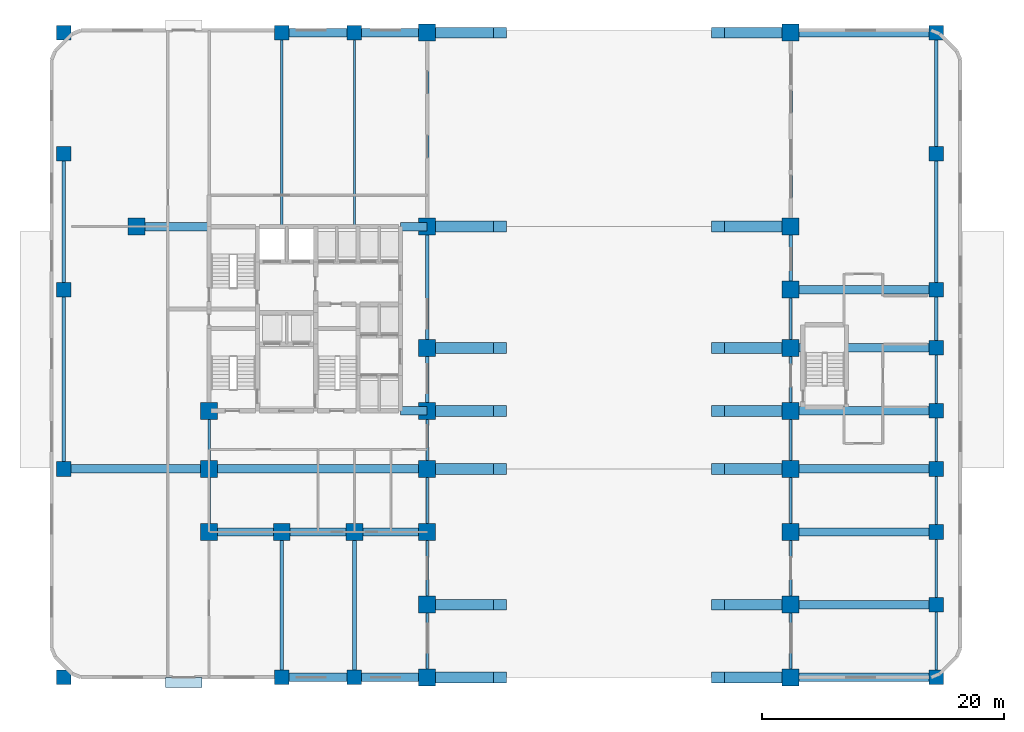
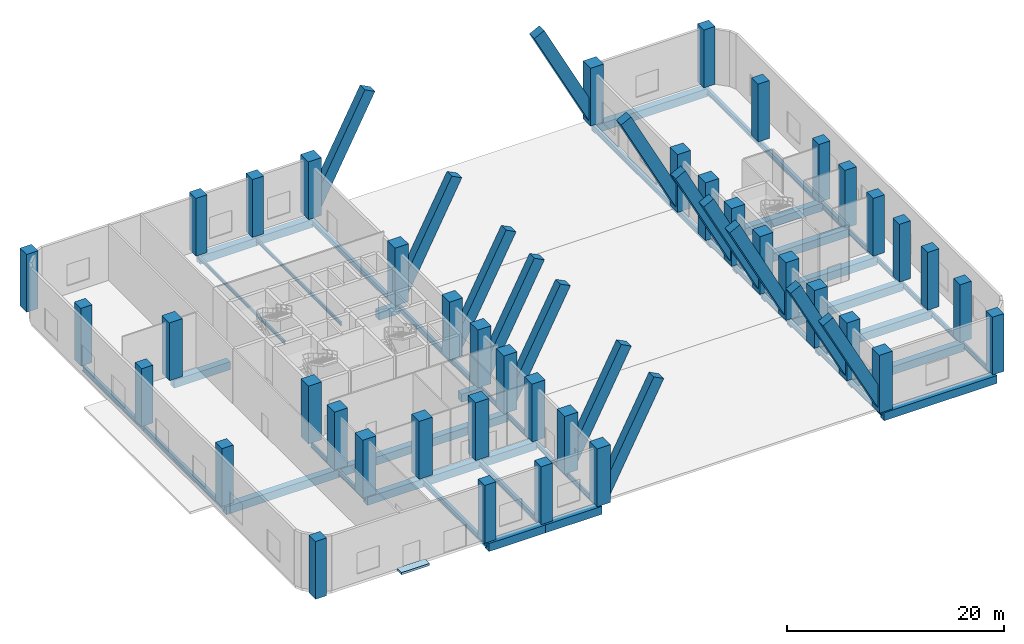
# One storey, part 1 of 10: 65 beams, 41 columns, 1 slab.
"""IFC4 building model written with IfcOpenShell, lengths in metres."""

from ifc_helpers import new_model, si_unit, direction, frame, origin, origin_2d, place, context, subcontext, project, spatial, polyline, rectangle, i_section, outline, extrude, material, layer, layer_set, material_profile, profile_set, type_object, element, save


model = new_model("IFC4")

# Units and contexts
model_context = context("Model", 3, precision=1e-05, world=origin(), true_north=direction((0.0, 1.0)))
body_context = subcontext(model_context, "Body", "Model", "MODEL_VIEW")
ifc_project = project(units=[si_unit("LENGTHUNIT", "METRE"), si_unit("AREAUNIT", "SQUARE_METRE"), si_unit("VOLUMEUNIT", "CUBIC_METRE"), si_unit("PLANEANGLEUNIT", "RADIAN"), si_unit("MASSUNIT", "GRAM", prefix="KILO")], contexts=[model_context])

# Site, building, storey
site_placement = place(None, origin())
site = spatial("IfcSite", under=ifc_project, at=site_placement, CompositionType="ELEMENT")
building_placement = place(site_placement, origin())
building = spatial("IfcBuilding", under=site, at=building_placement, Name="Keshet Zoharim Tower", CompositionType="ELEMENT")
storey_placement = place(building_placement, origin())
storey = spatial("IfcBuildingStorey", under=building, at=storey_placement, Name="L00", CompositionType="ELEMENT", Elevation=0.0)

# Columns
ifc_material_1 = material(Name="Concrete C60/75", Category="concrete")
ifc_material_profile_1 = material_profile(ifc_material_1, rectangle(XDim=1.39990234375, YDim=1.39990234375, at=origin_2d()), Name="RC1400x1400")
ifc_profile_set_1 = profile_set([ifc_material_profile_1], Name="Concrete C60/75")
column_type_1 = type_object("IfcColumnType", Name="COL-POD-1400", PredefinedType="COLUMN", material=ifc_profile_set_1)
for number, where, z_axis, x_axis, name in (
    (1, (9.0, 37.89990234375, 0.0), (0.0, 0.0, 1.0), (1.0, 0.0, 0.0), "L00 Column 2H"),
    (2, (15.0, 12.699951171875, 0.0), (0.0, 0.0, 1.0), (1.0, 0.0, 0.0), "L00 Column 3C"),
    (3, (15.0, 17.89990234375, 0.0), (0.0, 0.0, 1.0), (1.0, 0.0, 0.0), "L00 Column 3D"),
    (4, (15.0, 22.699951171875, 0.0), (0.0, 0.0, 1.0), (1.0, 0.0, 0.0), "L00 Column 3E"),
    (5, (21.0, 12.699951171875, 0.0), (0.0, 0.0, 1.0), (1.0, 0.0, 0.0), "L00 Column 4C"),
    (6, (27.0, 12.699951171875, 0.0), (0.0, 0.0, 1.0), (1.0, 0.0, 0.0), "L00 Column 5C"),
):
    element("IfcColumn", number, at=place(storey_placement, frame(where, z_axis=z_axis, x_axis=x_axis)), inside=storey, type_object=column_type_1, Name=name, PredefinedType="COLUMN", context=body_context, shape_type="SweptSolid", body=[
        extrude(rectangle(XDim=1.39990234375, YDim=1.39990234375, at=origin_2d()), origin(), (0.0, 0.0, 1.0), 6.5),
    ])
ifc_material_profile_2 = material_profile(ifc_material_1, rectangle(XDim=1.199951171875, YDim=1.199951171875, at=origin_2d()), Name="RC1200x1200")
ifc_profile_set_2 = profile_set([ifc_material_profile_2], Name="Concrete C60/75")
column_type_2 = type_object("IfcColumnType", Name="PIL-RC1200", PredefinedType="PILASTER", material=ifc_profile_set_2)
for number, where, z_axis, x_axis, name in (
    (7, (3.0, 0.699951171875, 0.0), (0.0, 0.0, 1.0), (1.0, 0.0, 0.0), "L00 Column 1A"),
    (8, (3.0, 17.89990234375, 0.0), (0.0, 0.0, 1.0), (1.0, 0.0, 0.0), "L00 Column 1D"),
    (9, (3.0, 32.699951171875, 0.0), (0.0, 0.0, 1.0), (1.0, 0.0, 0.0), "L00 Column 1G"),
    (10, (3.0, 43.89990234375, 0.0), (0.0, 0.0, 1.0), (1.0, 0.0, 0.0), "L00 Column 1J"),
    (11, (3.0, 53.89990234375, 0.0), (0.0, 0.0, 1.0), (1.0, 0.0, 0.0), "L00 Column 1L"),
    (12, (21.0, 0.699951171875, 0.0), (0.0, 0.0, 1.0), (1.0, 0.0, 0.0), "L00 Column 4A"),
    (13, (21.0, 53.89990234375, 0.0), (0.0, 0.0, 1.0), (1.0, 0.0, 0.0), "L00 Column 4L"),
    (14, (27.0, 0.699951171875, 0.0), (0.0, 0.0, 1.0), (1.0, 0.0, 0.0), "L00 Column 5A"),
    (15, (27.0, 53.89990234375, 0.0), (0.0, 0.0, 1.0), (1.0, 0.0, 0.0), "L00 Column 5L"),
    (16, (75.0, 0.699951171875, 0.0), (0.0, 0.0, 1.0), (1.0, 0.0, 0.0), "L00 Column 13A"),
    (17, (75.0, 6.699951171875, 0.0), (0.0, 0.0, 1.0), (1.0, 0.0, 0.0), "L00 Column 13B"),
    (18, (75.0, 12.699951171875, 0.0), (0.0, 0.0, 1.0), (1.0, 0.0, 0.0), "L00 Column 13C"),
    (19, (75.0, 17.89990234375, 0.0), (0.0, 0.0, 1.0), (1.0, 0.0, 0.0), "L00 Column 13D"),
    (20, (75.0, 22.699951171875, 0.0), (0.0, 0.0, 1.0), (1.0, 0.0, 0.0), "L00 Column 13E"),
    (21, (75.0, 27.89990234375, 0.0), (0.0, 0.0, 1.0), (1.0, 0.0, 0.0), "L00 Column 13F"),
    (22, (75.0, 32.699951171875, 0.0), (0.0, 0.0, 1.0), (1.0, 0.0, 0.0), "L00 Column 13G"),
    (23, (75.0, 43.89990234375, 0.0), (0.0, 0.0, 1.0), (1.0, 0.0, 0.0), "L00 Column 13J"),
    (24, (75.0, 53.89990234375, 0.0), (0.0, 0.0, 1.0), (1.0, 0.0, 0.0), "L00 Column 13L"),
):
    element("IfcColumn", number, at=place(storey_placement, frame(where, z_axis=z_axis, x_axis=x_axis)), inside=storey, type_object=column_type_2, Name=name, PredefinedType="PILASTER", context=body_context, shape_type="SweptSolid", body=[
        extrude(rectangle(XDim=1.199951171875, YDim=1.199951171875, at=origin_2d()), origin(), (0.0, 0.0, 1.0), 6.5),
    ])
ifc_material_profile_3 = material_profile(ifc_material_1, rectangle(XDim=1.39990234375, YDim=1.39990234375, at=origin_2d()), Name="RC1400x1400")
ifc_profile_set_3 = profile_set([ifc_material_profile_3], Name="Concrete C60/75")
column_type_3 = type_object("IfcColumnType", Name="PIL-RC1400", PredefinedType="PILASTER", material=ifc_profile_set_3)
for number, where, z_axis, x_axis, name in (
    (25, (33.0, 0.699951171875, 0.0), (0.0, 0.0, 1.0), (1.0, 0.0, 0.0), "L00 Column 6A"),
    (26, (33.0, 6.699951171875, 0.0), (0.0, 0.0, 1.0), (1.0, 0.0, 0.0), "L00 Column 6B"),
    (27, (33.0, 12.699951171875, 0.0), (0.0, 0.0, 1.0), (1.0, 0.0, 0.0), "L00 Column 6C"),
    (28, (33.0, 17.89990234375, 0.0), (0.0, 0.0, 1.0), (1.0, 0.0, 0.0), "L00 Column 6D"),
    (29, (33.0, 22.699951171875, 0.0), (0.0, 0.0, 1.0), (1.0, 0.0, 0.0), "L00 Column 6E"),
    (30, (33.0, 27.89990234375, 0.0), (0.0, 0.0, 1.0), (1.0, 0.0, 0.0), "L00 Column 6F"),
    (31, (33.0, 37.89990234375, 0.0), (0.0, 0.0, 1.0), (1.0, 0.0, 0.0), "L00 Column 6H"),
    (32, (33.0, 53.89990234375, 0.0), (0.0, 0.0, 1.0), (1.0, 0.0, 0.0), "L00 Column 6L"),
    (33, (63.0, 0.699951171875, 0.0), (0.0, 0.0, 1.0), (1.0, 0.0, 0.0), "L00 Column 11A"),
    (34, (63.0, 6.699951171875, 0.0), (0.0, 0.0, 1.0), (1.0, 0.0, 0.0), "L00 Column 11B"),
    (35, (63.0, 12.699951171875, 0.0), (0.0, 0.0, 1.0), (1.0, 0.0, 0.0), "L00 Column 11C"),
    (36, (63.0, 17.89990234375, 0.0), (0.0, 0.0, 1.0), (1.0, 0.0, 0.0), "L00 Column 11D"),
    (37, (63.0, 22.699951171875, 0.0), (0.0, 0.0, 1.0), (1.0, 0.0, 0.0), "L00 Column 11E"),
    (38, (63.0, 27.89990234375, 0.0), (0.0, 0.0, 1.0), (1.0, 0.0, 0.0), "L00 Column 11F"),
    (39, (63.0, 32.699951171875, 0.0), (0.0, 0.0, 1.0), (1.0, 0.0, 0.0), "L00 Column 11G"),
    (40, (63.0, 37.89990234375, 0.0), (0.0, 0.0, 1.0), (1.0, 0.0, 0.0), "L00 Column 11H"),
    (41, (63.0, 53.89990234375, 0.0), (0.0, 0.0, 1.0), (1.0, 0.0, 0.0), "L00 Column 11L"),
):
    element("IfcColumn", number, at=place(storey_placement, frame(where, z_axis=z_axis, x_axis=x_axis)), inside=storey, type_object=column_type_3, Name=name, PredefinedType="PILASTER", context=body_context, shape_type="SweptSolid", body=[
        extrude(rectangle(XDim=1.39990234375, YDim=1.39990234375, at=origin_2d()), origin(), (0.0, 0.0, 1.0), 6.5),
    ])

# Beams
ifc_material_profile_4 = material_profile(ifc_material_1, rectangle(XDim=0.89990234375, YDim=1.199951171875, at=origin_2d()), Name="RC1200x900")
ifc_profile_set_4 = profile_set([ifc_material_profile_4], Name="Concrete C60/75")
beam_type_1 = type_object("IfcBeamType", Name="BM-ARCH-1200", PredefinedType="BEAM", material=ifc_profile_set_4)
for number, where, z_axis, x_axis, name in (
    (42, (33.0, 0.699951171875, 0.39990234375), (0.459107291042, 0.0, 0.888380827861), (0.0, 1.0, 0.0), "Arch Spandrel Transfer Rib A-01"),
    (43, (57.0, 0.699951171875, 12.010009765625), (0.459107291042, 0.0, -0.888380827861), (0.0, 1.0, 0.0), "Arch Spandrel Transfer Rib A-05"),
    (44, (33.0, 6.699951171875, 0.39990234375), (0.459107291042, 0.0, 0.888380827861), (0.0, 1.0, 0.0), "Arch Spandrel Transfer Rib B-01"),
    (45, (57.0, 6.699951171875, 12.010009765625), (0.459107291042, 0.0, -0.888380827861), (0.0, 1.0, 0.0), "Arch Spandrel Transfer Rib B-05"),
    (46, (33.0, 17.89990234375, 0.39990234375), (0.459107291042, 0.0, 0.888380827861), (0.0, 1.0, 0.0), "Arch Spandrel Transfer Rib D-01"),
    (47, (57.0, 17.89990234375, 12.010009765625), (0.459107291042, 0.0, -0.888380827861), (0.0, 1.0, 0.0), "Arch Spandrel Transfer Rib D-05"),
    (48, (33.0, 22.699951171875, 0.39990234375), (0.459107291042, 0.0, 0.888380827861), (0.0, 1.0, 0.0), "Arch Spandrel Transfer Rib E-01"),
    (49, (57.0, 22.699951171875, 12.010009765625), (0.459107291042, 0.0, -0.888380827861), (0.0, 1.0, 0.0), "Arch Spandrel Transfer Rib E-05"),
    (50, (33.0, 27.89990234375, 0.39990234375), (0.459107291042, 0.0, 0.888380827861), (0.0, 1.0, 0.0), "Arch Spandrel Transfer Rib F-01"),
    (51, (57.0, 27.89990234375, 12.010009765625), (0.459107291042, 0.0, -0.888380827861), (0.0, 1.0, 0.0), "Arch Spandrel Transfer Rib F-05"),
    (52, (33.0, 37.89990234375, 0.39990234375), (0.459107291042, 0.0, 0.888380827861), (0.0, 1.0, 0.0), "Arch Spandrel Transfer Rib H-01"),
    (53, (57.0, 37.89990234375, 12.010009765625), (0.459107291042, 0.0, -0.888380827861), (0.0, 1.0, 0.0), "Arch Spandrel Transfer Rib H-05"),
    (54, (33.0, 53.89990234375, 0.39990234375), (0.459107291042, 0.0, 0.888380827861), (0.0, 1.0, 0.0), "Arch Spandrel Transfer Rib L-01"),
    (55, (57.0, 53.89990234375, 12.010009765625), (0.459107291042, 0.0, -0.888380827861), (0.0, 1.0, 0.0), "Arch Spandrel Transfer Rib L-05"),
):
    element("IfcBeam", number, at=place(storey_placement, frame(where, z_axis=z_axis, x_axis=x_axis)), inside=storey, type_object=beam_type_1, Name=name, PredefinedType="BEAM", context=body_context, shape_type="SweptSolid", body=[
        extrude(rectangle(XDim=0.89990234375, YDim=1.199951171875, at=origin_2d()), origin(), (0.0, 0.0, 1.0), 13.06884765625),
    ])
ifc_material_2 = material(Name="Steel S355", Category="steel")
ifc_material_profile_5 = material_profile(ifc_material_2, i_section(OverallWidth=0.169921875, OverallDepth=0.360107421875, WebThickness=0.008056640625, FlangeThickness=0.0126953125, FilletRadius=0.01806640625, at=origin_2d()), Name="IPE360")
ifc_profile_set_5 = profile_set([ifc_material_profile_5], Name="Steel S355")
beam_type_2 = type_object("IfcBeamType", Name="BM-JST-IP360", PredefinedType="JOIST", material=ifc_profile_set_5)
for number, where, z_axis, x_axis, name in (
    (56, (21.0, 37.89990234375, -0.580078125), (0.0, 1.0, 0.0), (-1.0, 0.0, 0.0), "L00 Secondary Floor Joist J-001"),
    (57, (27.0, 37.89990234375, -0.580078125), (0.0, 1.0, 0.0), (-1.0, 0.0, 0.0), "L00 Secondary Floor Joist J-002"),
):
    element("IfcBeam", number, at=place(storey_placement, frame(where, z_axis=z_axis, x_axis=x_axis)), inside=storey, type_object=beam_type_2, Name=name, PredefinedType="JOIST", context=body_context, shape_type="SweptSolid", body=[
        extrude(i_section(OverallWidth=0.169921875, OverallDepth=0.360107421875, WebThickness=0.008056640625, FlangeThickness=0.0126953125, FilletRadius=0.01806640625, at=origin_2d()), origin(), (0.0, 0.0, 1.0), 16.0),
    ])
ifc_material_profile_6 = material_profile(ifc_material_2, i_section(OverallWidth=0.300048828125, OverallDepth=0.60009765625, WebThickness=0.015380859375, FlangeThickness=0.030029296875, FilletRadius=0.027099609375, at=origin_2d()), Name="HEB600")
ifc_profile_set_6 = profile_set([ifc_material_profile_6], Name="Steel S355")
beam_type_3 = type_object("IfcBeamType", Name="BM-LNG-HB600", PredefinedType="BEAM", material=ifc_profile_set_6)
beam_1_placement = place(storey_placement, frame((3.0, 17.89990234375, -0.699951171875), z_axis=(0.0, 1.0, 0.0), x_axis=(-1.0, 0.0, 0.0)))
element("IfcBeam", 58, at=beam_1_placement, inside=storey, type_object=beam_type_3, Name="L00 Primary Girder Y-001", PredefinedType="BEAM", context=body_context, shape_type="SweptSolid", body=[
    extrude(i_section(OverallWidth=0.300048828125, OverallDepth=0.60009765625, WebThickness=0.015380859375, FlangeThickness=0.030029296875, FilletRadius=0.027099609375, at=origin_2d()), origin(), (0.0, 0.0, 1.0), 14.800048828125),
])
beam_2_placement = place(storey_placement, frame((33.0, 22.699951171875, -0.699951171875), z_axis=(0.0, 1.0, 0.0), x_axis=(-1.0, 0.0, 0.0)))
element("IfcBeam", 59, at=beam_2_placement, inside=storey, type_object=beam_type_3, Name="L00 Primary Girder Y-011", PredefinedType="BEAM", context=body_context, shape_type="SweptSolid", body=[
    extrude(i_section(OverallWidth=0.300048828125, OverallDepth=0.60009765625, WebThickness=0.015380859375, FlangeThickness=0.030029296875, FilletRadius=0.027099609375, at=origin_2d()), origin(), (0.0, 0.0, 1.0), 5.199951171875),
])
beam_3_placement = place(storey_placement, frame((33.0, 37.89990234375, -0.699951171875), z_axis=(0.0, 1.0, 0.0), x_axis=(-1.0, 0.0, 0.0)))
element("IfcBeam", 60, at=beam_3_placement, inside=storey, type_object=beam_type_3, Name="L00 Primary Girder Y-013", PredefinedType="BEAM", context=body_context, shape_type="SweptSolid", body=[
    extrude(i_section(OverallWidth=0.300048828125, OverallDepth=0.60009765625, WebThickness=0.015380859375, FlangeThickness=0.030029296875, FilletRadius=0.027099609375, at=origin_2d()), origin(), (0.0, 0.0, 1.0), 16.0),
])
beam_4_placement = place(storey_placement, frame((63.0, 32.699951171875, -0.699951171875), z_axis=(0.0, 1.0, 0.0), x_axis=(-1.0, 0.0, 0.0)))
element("IfcBeam", 61, at=beam_4_placement, inside=storey, type_object=beam_type_3, Name="L00 Primary Girder Y-020", PredefinedType="BEAM", context=body_context, shape_type="SweptSolid", body=[
    extrude(i_section(OverallWidth=0.300048828125, OverallDepth=0.60009765625, WebThickness=0.015380859375, FlangeThickness=0.030029296875, FilletRadius=0.027099609375, at=origin_2d()), origin(), (0.0, 0.0, 1.0), 5.199951171875),
])
beam_5_placement = place(storey_placement, frame((63.0, 37.89990234375, -0.699951171875), z_axis=(0.0, 1.0, 0.0), x_axis=(-1.0, 0.0, 0.0)))
element("IfcBeam", 62, at=beam_5_placement, inside=storey, type_object=beam_type_3, Name="L00 Primary Girder Y-021", PredefinedType="BEAM", context=body_context, shape_type="SweptSolid", body=[
    extrude(i_section(OverallWidth=0.300048828125, OverallDepth=0.60009765625, WebThickness=0.015380859375, FlangeThickness=0.030029296875, FilletRadius=0.027099609375, at=origin_2d()), origin(), (0.0, 0.0, 1.0), 16.0),
])
beam_6_placement = place(storey_placement, frame((75.0, 27.89990234375, -0.699951171875), z_axis=(0.0, 1.0, 0.0), x_axis=(-1.0, 0.0, 0.0)))
element("IfcBeam", 63, at=beam_6_placement, inside=storey, type_object=beam_type_3, Name="L00 Primary Girder Y-027", PredefinedType="BEAM", context=body_context, shape_type="SweptSolid", body=[
    extrude(i_section(OverallWidth=0.300048828125, OverallDepth=0.60009765625, WebThickness=0.015380859375, FlangeThickness=0.030029296875, FilletRadius=0.027099609375, at=origin_2d()), origin(), (0.0, 0.0, 1.0), 4.800048828125),
])
ifc_material_profile_7 = material_profile(ifc_material_1, rectangle(XDim=0.699951171875, YDim=0.89990234375, at=origin_2d()), Name="RC900x700")
ifc_profile_set_7 = profile_set([ifc_material_profile_7], Name="Concrete C60/75")
beam_type_4 = type_object("IfcBeamType", Name="BM-LNG-RC900", PredefinedType="T_BEAM", material=ifc_profile_set_7)
for number, where, z_axis, x_axis, name in (
    (64, (63.0, 0.699951171875, -0.85009765625), (1.0, 0.0, 0.0), (0.0, 1.0, 0.0), "L00 Primary Girder X-003"),
    (65, (63.0, 6.699951171875, -0.85009765625), (1.0, 0.0, 0.0), (0.0, 1.0, 0.0), "L00 Primary Girder X-004"),
    (66, (63.0, 12.699951171875, -0.85009765625), (1.0, 0.0, 0.0), (0.0, 1.0, 0.0), "L00 Primary Girder X-008"),
    (67, (3.0, 17.89990234375, -0.85009765625), (1.0, 0.0, 0.0), (0.0, 1.0, 0.0), "L00 Primary Girder X-009"),
):
    element("IfcBeam", number, at=place(storey_placement, frame(where, z_axis=z_axis, x_axis=x_axis)), inside=storey, type_object=beam_type_4, Name=name, PredefinedType="T_BEAM", context=body_context, shape_type="SweptSolid", body=[
        extrude(rectangle(XDim=0.699951171875, YDim=0.89990234375, at=origin_2d()), origin(), (0.0, 0.0, 1.0), 12.0),
    ])
beam_7_placement = place(storey_placement, frame((15.0, 17.89990234375, -0.85009765625), z_axis=(1.0, 0.0, 0.0), x_axis=(0.0, 1.0, 0.0)))
element("IfcBeam", 68, at=beam_7_placement, inside=storey, type_object=beam_type_4, Name="L00 Primary Girder X-010", PredefinedType="T_BEAM", context=body_context, shape_type="SweptSolid", body=[
    extrude(rectangle(XDim=0.699951171875, YDim=0.89990234375, at=origin_2d()), origin(), (0.0, 0.0, 1.0), 18.0),
])
for number, where, z_axis, x_axis, name in (
    (69, (63.0, 17.89990234375, -0.85009765625), (1.0, 0.0, 0.0), (0.0, 1.0, 0.0), "L00 Primary Girder X-011"),
    (70, (63.0, 22.699951171875, -0.85009765625), (1.0, 0.0, 0.0), (0.0, 1.0, 0.0), "L00 Primary Girder X-013"),
    (71, (63.0, 27.89990234375, -0.85009765625), (1.0, 0.0, 0.0), (0.0, 1.0, 0.0), "L00 Primary Girder X-014"),
    (72, (63.0, 32.699951171875, -0.85009765625), (1.0, 0.0, 0.0), (0.0, 1.0, 0.0), "L00 Primary Girder X-015"),
    (73, (63.0, 53.89990234375, -0.85009765625), (1.0, 0.0, 0.0), (0.0, 1.0, 0.0), "L00 Primary Girder X-020"),
):
    element("IfcBeam", number, at=place(storey_placement, frame(where, z_axis=z_axis, x_axis=x_axis)), inside=storey, type_object=beam_type_4, Name=name, PredefinedType="T_BEAM", context=body_context, shape_type="SweptSolid", body=[
        extrude(rectangle(XDim=0.699951171875, YDim=0.89990234375, at=origin_2d()), origin(), (0.0, 0.0, 1.0), 12.0),
    ])
ifc_material_profile_8 = material_profile(ifc_material_2, i_section(OverallWidth=0.300048828125, OverallDepth=0.60009765625, WebThickness=0.015380859375, FlangeThickness=0.030029296875, FilletRadius=0.027099609375, at=origin_2d()), Name="HEB600")
ifc_profile_set_8 = profile_set([ifc_material_profile_8], Name="Steel S355")
beam_type_5 = type_object("IfcBeamType", Name="BM-MED-HB600", PredefinedType="BEAM", material=ifc_profile_set_8)
beam_8_placement = place(storey_placement, frame((3.0, 32.699951171875, -0.699951171875), z_axis=(0.0, 1.0, 0.0), x_axis=(-1.0, 0.0, 0.0)))
element("IfcBeam", 74, at=beam_8_placement, inside=storey, type_object=beam_type_5, Name="L00 Primary Girder Y-002", PredefinedType="BEAM", context=body_context, shape_type="SweptSolid", body=[
    extrude(i_section(OverallWidth=0.300048828125, OverallDepth=0.60009765625, WebThickness=0.015380859375, FlangeThickness=0.030029296875, FilletRadius=0.027099609375, at=origin_2d()), origin(), (0.0, 0.0, 1.0), 11.199951171875),
])
for number, where, z_axis, x_axis, name in (
    (75, (21.0, 0.699951171875, -0.699951171875), (0.0, 1.0, 0.0), (-1.0, 0.0, 0.0), "L00 Primary Girder Y-005"),
    (76, (27.0, 0.699951171875, -0.699951171875), (0.0, 1.0, 0.0), (-1.0, 0.0, 0.0), "L00 Primary Girder Y-006"),
):
    element("IfcBeam", number, at=place(storey_placement, frame(where, z_axis=z_axis, x_axis=x_axis)), inside=storey, type_object=beam_type_5, Name=name, PredefinedType="BEAM", context=body_context, shape_type="SweptSolid", body=[
        extrude(i_section(OverallWidth=0.300048828125, OverallDepth=0.60009765625, WebThickness=0.015380859375, FlangeThickness=0.030029296875, FilletRadius=0.027099609375, at=origin_2d()), origin(), (0.0, 0.0, 1.0), 12.0),
    ])
beam_9_placement = place(storey_placement, frame((33.0, 27.89990234375, -0.699951171875), z_axis=(0.0, 1.0, 0.0), x_axis=(-1.0, 0.0, 0.0)))
element("IfcBeam", 77, at=beam_9_placement, inside=storey, type_object=beam_type_5, Name="L00 Primary Girder Y-012", PredefinedType="BEAM", context=body_context, shape_type="SweptSolid", body=[
    extrude(i_section(OverallWidth=0.300048828125, OverallDepth=0.60009765625, WebThickness=0.015380859375, FlangeThickness=0.030029296875, FilletRadius=0.027099609375, at=origin_2d()), origin(), (0.0, 0.0, 1.0), 10.0),
])
beam_10_placement = place(storey_placement, frame((75.0, 32.699951171875, -0.699951171875), z_axis=(0.0, 1.0, 0.0), x_axis=(-1.0, 0.0, 0.0)))
element("IfcBeam", 78, at=beam_10_placement, inside=storey, type_object=beam_type_5, Name="L00 Primary Girder Y-028", PredefinedType="BEAM", context=body_context, shape_type="SweptSolid", body=[
    extrude(i_section(OverallWidth=0.300048828125, OverallDepth=0.60009765625, WebThickness=0.015380859375, FlangeThickness=0.030029296875, FilletRadius=0.027099609375, at=origin_2d()), origin(), (0.0, 0.0, 1.0), 11.199951171875),
])
beam_11_placement = place(storey_placement, frame((75.0, 43.89990234375, -0.699951171875), z_axis=(0.0, 1.0, 0.0), x_axis=(-1.0, 0.0, 0.0)))
element("IfcBeam", 79, at=beam_11_placement, inside=storey, type_object=beam_type_5, Name="L00 Primary Girder Y-029", PredefinedType="BEAM", context=body_context, shape_type="SweptSolid", body=[
    extrude(i_section(OverallWidth=0.300048828125, OverallDepth=0.60009765625, WebThickness=0.015380859375, FlangeThickness=0.030029296875, FilletRadius=0.027099609375, at=origin_2d()), origin(), (0.0, 0.0, 1.0), 10.0),
])
ifc_material_profile_9 = material_profile(ifc_material_2, i_section(OverallWidth=0.2099609375, OverallDepth=0.550048828125, WebThickness=0.010986328125, FlangeThickness=0.01708984375, FilletRadius=0.02392578125, at=origin_2d()), Name="IPE550")
ifc_profile_set_9 = profile_set([ifc_material_profile_9], Name="Steel S355")
beam_type_6 = type_object("IfcBeamType", Name="BM-PRI-IP550", PredefinedType="BEAM", material=ifc_profile_set_9)
beam_12_placement = place(storey_placement, frame((15.0, 12.699951171875, -0.675048828125), z_axis=(0.0, 1.0, 0.0), x_axis=(-1.0, 0.0, 0.0)))
element("IfcBeam", 80, at=beam_12_placement, inside=storey, type_object=beam_type_6, Name="L00 Primary Girder Y-003", PredefinedType="BEAM", context=body_context, shape_type="SweptSolid", body=[
    extrude(i_section(OverallWidth=0.2099609375, OverallDepth=0.550048828125, WebThickness=0.010986328125, FlangeThickness=0.01708984375, FilletRadius=0.02392578125, at=origin_2d()), origin(), (0.0, 0.0, 1.0), 5.199951171875),
])
beam_13_placement = place(storey_placement, frame((15.0, 17.89990234375, -0.675048828125), z_axis=(0.0, 1.0, 0.0), x_axis=(-1.0, 0.0, 0.0)))
element("IfcBeam", 81, at=beam_13_placement, inside=storey, type_object=beam_type_6, Name="L00 Primary Girder Y-004", PredefinedType="BEAM", context=body_context, shape_type="SweptSolid", body=[
    extrude(i_section(OverallWidth=0.2099609375, OverallDepth=0.550048828125, WebThickness=0.010986328125, FlangeThickness=0.01708984375, FilletRadius=0.02392578125, at=origin_2d()), origin(), (0.0, 0.0, 1.0), 4.800048828125),
])
for number, where, z_axis, x_axis, name in (
    (82, (33.0, 0.699951171875, -0.675048828125), (0.0, 1.0, 0.0), (-1.0, 0.0, 0.0), "L00 Primary Girder Y-007"),
    (83, (33.0, 6.699951171875, -0.675048828125), (0.0, 1.0, 0.0), (-1.0, 0.0, 0.0), "L00 Primary Girder Y-008"),
):
    element("IfcBeam", number, at=place(storey_placement, frame(where, z_axis=z_axis, x_axis=x_axis)), inside=storey, type_object=beam_type_6, Name=name, PredefinedType="BEAM", context=body_context, shape_type="SweptSolid", body=[
        extrude(i_section(OverallWidth=0.2099609375, OverallDepth=0.550048828125, WebThickness=0.010986328125, FlangeThickness=0.01708984375, FilletRadius=0.02392578125, at=origin_2d()), origin(), (0.0, 0.0, 1.0), 6.0),
    ])
beam_14_placement = place(storey_placement, frame((33.0, 12.699951171875, -0.675048828125), z_axis=(0.0, 1.0, 0.0), x_axis=(-1.0, 0.0, 0.0)))
element("IfcBeam", 84, at=beam_14_placement, inside=storey, type_object=beam_type_6, Name="L00 Primary Girder Y-009", PredefinedType="BEAM", context=body_context, shape_type="SweptSolid", body=[
    extrude(i_section(OverallWidth=0.2099609375, OverallDepth=0.550048828125, WebThickness=0.010986328125, FlangeThickness=0.01708984375, FilletRadius=0.02392578125, at=origin_2d()), origin(), (0.0, 0.0, 1.0), 5.199951171875),
])
beam_15_placement = place(storey_placement, frame((33.0, 17.89990234375, -0.675048828125), z_axis=(0.0, 1.0, 0.0), x_axis=(-1.0, 0.0, 0.0)))
element("IfcBeam", 85, at=beam_15_placement, inside=storey, type_object=beam_type_6, Name="L00 Primary Girder Y-010", PredefinedType="BEAM", context=body_context, shape_type="SweptSolid", body=[
    extrude(i_section(OverallWidth=0.2099609375, OverallDepth=0.550048828125, WebThickness=0.010986328125, FlangeThickness=0.01708984375, FilletRadius=0.02392578125, at=origin_2d()), origin(), (0.0, 0.0, 1.0), 4.800048828125),
])
for number, where, z_axis, x_axis, name in (
    (86, (63.0, 0.699951171875, -0.675048828125), (0.0, 1.0, 0.0), (-1.0, 0.0, 0.0), "L00 Primary Girder Y-014"),
    (87, (63.0, 6.699951171875, -0.675048828125), (0.0, 1.0, 0.0), (-1.0, 0.0, 0.0), "L00 Primary Girder Y-015"),
):
    element("IfcBeam", number, at=place(storey_placement, frame(where, z_axis=z_axis, x_axis=x_axis)), inside=storey, type_object=beam_type_6, Name=name, PredefinedType="BEAM", context=body_context, shape_type="SweptSolid", body=[
        extrude(i_section(OverallWidth=0.2099609375, OverallDepth=0.550048828125, WebThickness=0.010986328125, FlangeThickness=0.01708984375, FilletRadius=0.02392578125, at=origin_2d()), origin(), (0.0, 0.0, 1.0), 6.0),
    ])
beam_16_placement = place(storey_placement, frame((63.0, 12.699951171875, -0.675048828125), z_axis=(0.0, 1.0, 0.0), x_axis=(-1.0, 0.0, 0.0)))
element("IfcBeam", 88, at=beam_16_placement, inside=storey, type_object=beam_type_6, Name="L00 Primary Girder Y-016", PredefinedType="BEAM", context=body_context, shape_type="SweptSolid", body=[
    extrude(i_section(OverallWidth=0.2099609375, OverallDepth=0.550048828125, WebThickness=0.010986328125, FlangeThickness=0.01708984375, FilletRadius=0.02392578125, at=origin_2d()), origin(), (0.0, 0.0, 1.0), 5.199951171875),
])
beam_17_placement = place(storey_placement, frame((63.0, 17.89990234375, -0.675048828125), z_axis=(0.0, 1.0, 0.0), x_axis=(-1.0, 0.0, 0.0)))
element("IfcBeam", 89, at=beam_17_placement, inside=storey, type_object=beam_type_6, Name="L00 Primary Girder Y-017", PredefinedType="BEAM", context=body_context, shape_type="SweptSolid", body=[
    extrude(i_section(OverallWidth=0.2099609375, OverallDepth=0.550048828125, WebThickness=0.010986328125, FlangeThickness=0.01708984375, FilletRadius=0.02392578125, at=origin_2d()), origin(), (0.0, 0.0, 1.0), 4.800048828125),
])
beam_18_placement = place(storey_placement, frame((63.0, 22.699951171875, -0.675048828125), z_axis=(0.0, 1.0, 0.0), x_axis=(-1.0, 0.0, 0.0)))
element("IfcBeam", 90, at=beam_18_placement, inside=storey, type_object=beam_type_6, Name="L00 Primary Girder Y-018", PredefinedType="BEAM", context=body_context, shape_type="SweptSolid", body=[
    extrude(i_section(OverallWidth=0.2099609375, OverallDepth=0.550048828125, WebThickness=0.010986328125, FlangeThickness=0.01708984375, FilletRadius=0.02392578125, at=origin_2d()), origin(), (0.0, 0.0, 1.0), 5.199951171875),
])
beam_19_placement = place(storey_placement, frame((63.0, 27.89990234375, -0.675048828125), z_axis=(0.0, 1.0, 0.0), x_axis=(-1.0, 0.0, 0.0)))
element("IfcBeam", 91, at=beam_19_placement, inside=storey, type_object=beam_type_6, Name="L00 Primary Girder Y-019", PredefinedType="BEAM", context=body_context, shape_type="SweptSolid", body=[
    extrude(i_section(OverallWidth=0.2099609375, OverallDepth=0.550048828125, WebThickness=0.010986328125, FlangeThickness=0.01708984375, FilletRadius=0.02392578125, at=origin_2d()), origin(), (0.0, 0.0, 1.0), 4.800048828125),
])
for number, where, z_axis, x_axis, name in (
    (92, (75.0, 0.699951171875, -0.675048828125), (0.0, 1.0, 0.0), (-1.0, 0.0, 0.0), "L00 Primary Girder Y-022"),
    (93, (75.0, 6.699951171875, -0.675048828125), (0.0, 1.0, 0.0), (-1.0, 0.0, 0.0), "L00 Primary Girder Y-023"),
):
    element("IfcBeam", number, at=place(storey_placement, frame(where, z_axis=z_axis, x_axis=x_axis)), inside=storey, type_object=beam_type_6, Name=name, PredefinedType="BEAM", context=body_context, shape_type="SweptSolid", body=[
        extrude(i_section(OverallWidth=0.2099609375, OverallDepth=0.550048828125, WebThickness=0.010986328125, FlangeThickness=0.01708984375, FilletRadius=0.02392578125, at=origin_2d()), origin(), (0.0, 0.0, 1.0), 6.0),
    ])
beam_20_placement = place(storey_placement, frame((75.0, 12.699951171875, -0.675048828125), z_axis=(0.0, 1.0, 0.0), x_axis=(-1.0, 0.0, 0.0)))
element("IfcBeam", 94, at=beam_20_placement, inside=storey, type_object=beam_type_6, Name="L00 Primary Girder Y-024", PredefinedType="BEAM", context=body_context, shape_type="SweptSolid", body=[
    extrude(i_section(OverallWidth=0.2099609375, OverallDepth=0.550048828125, WebThickness=0.010986328125, FlangeThickness=0.01708984375, FilletRadius=0.02392578125, at=origin_2d()), origin(), (0.0, 0.0, 1.0), 5.199951171875),
])
beam_21_placement = place(storey_placement, frame((75.0, 17.89990234375, -0.675048828125), z_axis=(0.0, 1.0, 0.0), x_axis=(-1.0, 0.0, 0.0)))
element("IfcBeam", 95, at=beam_21_placement, inside=storey, type_object=beam_type_6, Name="L00 Primary Girder Y-025", PredefinedType="BEAM", context=body_context, shape_type="SweptSolid", body=[
    extrude(i_section(OverallWidth=0.2099609375, OverallDepth=0.550048828125, WebThickness=0.010986328125, FlangeThickness=0.01708984375, FilletRadius=0.02392578125, at=origin_2d()), origin(), (0.0, 0.0, 1.0), 4.800048828125),
])
beam_22_placement = place(storey_placement, frame((75.0, 22.699951171875, -0.675048828125), z_axis=(0.0, 1.0, 0.0), x_axis=(-1.0, 0.0, 0.0)))
element("IfcBeam", 96, at=beam_22_placement, inside=storey, type_object=beam_type_6, Name="L00 Primary Girder Y-026", PredefinedType="BEAM", context=body_context, shape_type="SweptSolid", body=[
    extrude(i_section(OverallWidth=0.2099609375, OverallDepth=0.550048828125, WebThickness=0.010986328125, FlangeThickness=0.01708984375, FilletRadius=0.02392578125, at=origin_2d()), origin(), (0.0, 0.0, 1.0), 5.199951171875),
])
ifc_material_profile_10 = material_profile(ifc_material_1, rectangle(XDim=0.699951171875, YDim=0.89990234375, at=origin_2d()), Name="RC900x700")
ifc_profile_set_10 = profile_set([ifc_material_profile_10], Name="Concrete C60/75")
beam_type_7 = type_object("IfcBeamType", Name="BM-TBM-900", PredefinedType="T_BEAM", material=ifc_profile_set_10)
for number, where, z_axis, x_axis, name in (
    (97, (21.0, 0.699951171875, -0.85009765625), (1.0, 0.0, 0.0), (0.0, 1.0, 0.0), "L00 Primary Girder X-001"),
    (98, (27.0, 0.699951171875, -0.85009765625), (1.0, 0.0, 0.0), (0.0, 1.0, 0.0), "L00 Primary Girder X-002"),
    (99, (15.0, 12.699951171875, -0.85009765625), (1.0, 0.0, 0.0), (0.0, 1.0, 0.0), "L00 Primary Girder X-005"),
    (100, (21.0, 12.699951171875, -0.85009765625), (1.0, 0.0, 0.0), (0.0, 1.0, 0.0), "L00 Primary Girder X-006"),
    (101, (27.0, 12.699951171875, -0.85009765625), (1.0, 0.0, 0.0), (0.0, 1.0, 0.0), "L00 Primary Girder X-007"),
):
    element("IfcBeam", number, at=place(storey_placement, frame(where, z_axis=z_axis, x_axis=x_axis)), inside=storey, type_object=beam_type_7, Name=name, PredefinedType="T_BEAM", context=body_context, shape_type="SweptSolid", body=[
        extrude(rectangle(XDim=0.699951171875, YDim=0.89990234375, at=origin_2d()), origin(), (0.0, 0.0, 1.0), 6.0),
    ])
beam_23_placement = place(storey_placement, frame((30.800048828125, 22.699951171875, -0.85009765625), z_axis=(1.0, 0.0, 0.0), x_axis=(0.0, 1.0, 0.0)))
element("IfcBeam", 102, at=beam_23_placement, inside=storey, type_object=beam_type_7, Name="L00 Primary Girder X-012", PredefinedType="T_BEAM", context=body_context, shape_type="SweptSolid", body=[
    extrude(rectangle(XDim=0.699951171875, YDim=0.89990234375, at=origin_2d()), origin(), (0.0, 0.0, 1.0), 2.199951171875),
])
beam_24_placement = place(storey_placement, frame((9.0, 37.89990234375, -0.85009765625), z_axis=(1.0, 0.0, 0.0), x_axis=(0.0, 1.0, 0.0)))
element("IfcBeam", 103, at=beam_24_placement, inside=storey, type_object=beam_type_7, Name="L00 Primary Girder X-016", PredefinedType="T_BEAM", context=body_context, shape_type="SweptSolid", body=[
    extrude(rectangle(XDim=0.699951171875, YDim=0.89990234375, at=origin_2d()), origin(), (0.0, 0.0, 1.0), 6.0),
])
beam_25_placement = place(storey_placement, frame((30.800048828125, 37.89990234375, -0.85009765625), z_axis=(1.0, 0.0, 0.0), x_axis=(0.0, 1.0, 0.0)))
element("IfcBeam", 104, at=beam_25_placement, inside=storey, type_object=beam_type_7, Name="L00 Primary Girder X-017", PredefinedType="T_BEAM", context=body_context, shape_type="SweptSolid", body=[
    extrude(rectangle(XDim=0.699951171875, YDim=0.89990234375, at=origin_2d()), origin(), (0.0, 0.0, 1.0), 2.199951171875),
])
for number, where, z_axis, x_axis, name in (
    (105, (21.0, 53.89990234375, -0.85009765625), (1.0, 0.0, 0.0), (0.0, 1.0, 0.0), "L00 Primary Girder X-018"),
    (106, (27.0, 53.89990234375, -0.85009765625), (1.0, 0.0, 0.0), (0.0, 1.0, 0.0), "L00 Primary Girder X-019"),
):
    element("IfcBeam", number, at=place(storey_placement, frame(where, z_axis=z_axis, x_axis=x_axis)), inside=storey, type_object=beam_type_7, Name=name, PredefinedType="T_BEAM", context=body_context, shape_type="SweptSolid", body=[
        extrude(rectangle(XDim=0.699951171875, YDim=0.89990234375, at=origin_2d()), origin(), (0.0, 0.0, 1.0), 6.0),
    ])

# Slab
ifc_material_3 = material(Name="Concrete C50/60 precast", Category="concrete")
ifc_layer = layer(ifc_material_3, 0.25)
ifc_layer_set = layer_set([ifc_layer], Name="Concrete C50/60 precast")
slab_type = type_object("IfcSlabType", Name="SLB-APR-250", PredefinedType="USERDEFINED", material=ifc_layer_set)
slab_placement = place(storey_placement, frame((0.0, 0.0, -0.25)))
element("IfcSlab", 107, at=slab_placement, inside=storey, type_object=slab_type, Name="South Exit Discharge Threshold Apron 02", ObjectType="APPROACH_SLAB", PredefinedType="USERDEFINED", context=body_context, shape_type="SweptSolid", body=[
    extrude(outline(polyline([(11.39990234375, -0.14990234375), (11.39990234375, 0.699951171875), (14.39990234375, 0.699951171875), (14.39990234375, -0.14990234375), (11.39990234375, -0.14990234375)])), origin(), (0.0, 0.0, 1.0), 0.25),
])

save(model, "model.ifc")
